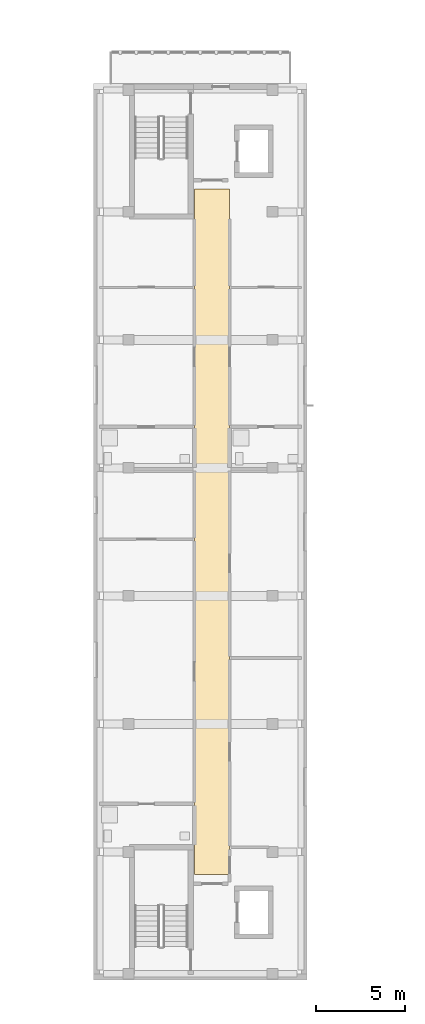
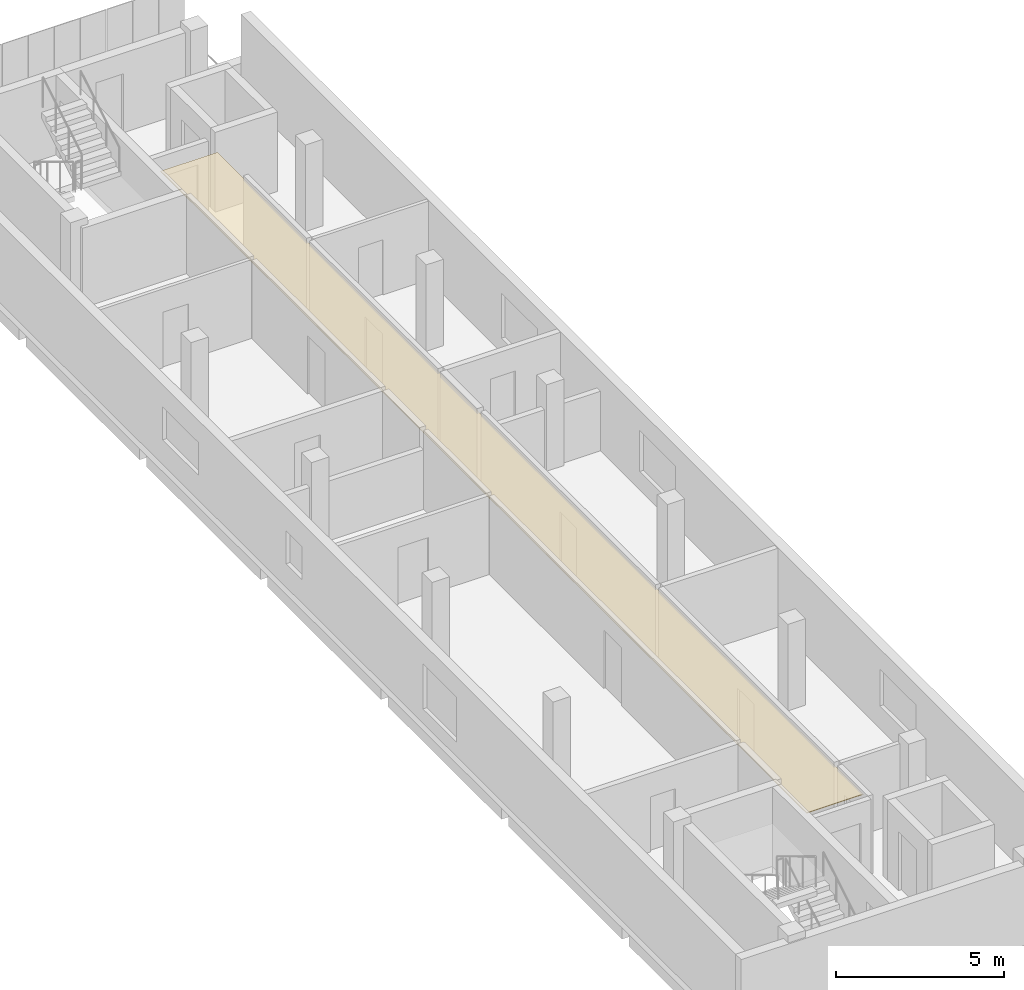
# One storey, part 29 of 35: 1 covering.
"""IFC4 building model written with IfcOpenShell, lengths in metres."""

from ifc_helpers import new_model, si_unit, derived_unit, direction, frame, origin, place, context, subcontext, project, spatial, polyline, outline, extrude, material, layer, layer_set, type_object, element, save


model = new_model("IFC4")

# Units and contexts
model_context = context("Model", 3, precision=1e-05, world=origin(), true_north=direction((0.0, 1.0)))
body_context = subcontext(model_context, "Body", "Model", "MODEL_VIEW")
ifc_project = project(units=[si_unit("LENGTHUNIT", "METRE"), si_unit("AREAUNIT", "SQUARE_METRE"), si_unit("VOLUMEUNIT", "CUBIC_METRE"), si_unit("PLANEANGLEUNIT", "RADIAN"), si_unit("MASSUNIT", "GRAM", prefix="KILO"), derived_unit("THERMALTRANSMITTANCEUNIT", [(si_unit("MASSUNIT", "GRAM", prefix="KILO"), 1), (si_unit("TIMEUNIT", "SECOND"), -3), (si_unit("THERMODYNAMICTEMPERATUREUNIT", "KELVIN"), -1)])], contexts=[model_context])

# Site, building, storey
site_placement = place(None, origin())
site = spatial("IfcSite", under=ifc_project, at=site_placement, CompositionType="ELEMENT")
building_placement = place(site_placement, origin())
building = spatial("IfcBuilding", under=site, at=building_placement, Name="Ochrekiln Boulevard Commons", CompositionType="ELEMENT")
storey_placement = place(building_placement, frame((0.0, 0.0, 30.97509765625)))
storey = spatial("IfcBuildingStorey", under=building, at=storey_placement, Name="L09", CompositionType="ELEMENT", Elevation=30.97509765625)

# Covering
ifc_material = material(Name="Mineral-fibre acoustic ceiling tile")
ifc_layer = layer(ifc_material, 0.02490234375)
ifc_layer_set = layer_set([ifc_layer], Name="Mineral-fibre acoustic ceiling tile")
covering_type = type_object("IfcCoveringType", Name="COV-CEIL-AC", PredefinedType="CEILING", material=ifc_layer_set)
covering_placement = place(storey_placement, frame((0.0, 0.0, 2.64990234375)))
element("IfcCovering", 1, at=covering_placement, inside=storey, type_object=covering_type, Name="L09 Acoustic Corridor Ceiling 65", PredefinedType="CEILING", context=body_context, shape_type="SweptSolid", body=[
    extrude(outline(polyline([(159.8701171875, 5.919921875), (161.830078125, 5.919921875), (161.830078125, 44.47998046875), (159.8701171875, 44.47998046875), (159.8701171875, 5.919921875)])), origin(), (0.0, 0.0, 1.0), 0.02490234375),
])

save(model, "model.ifc")
